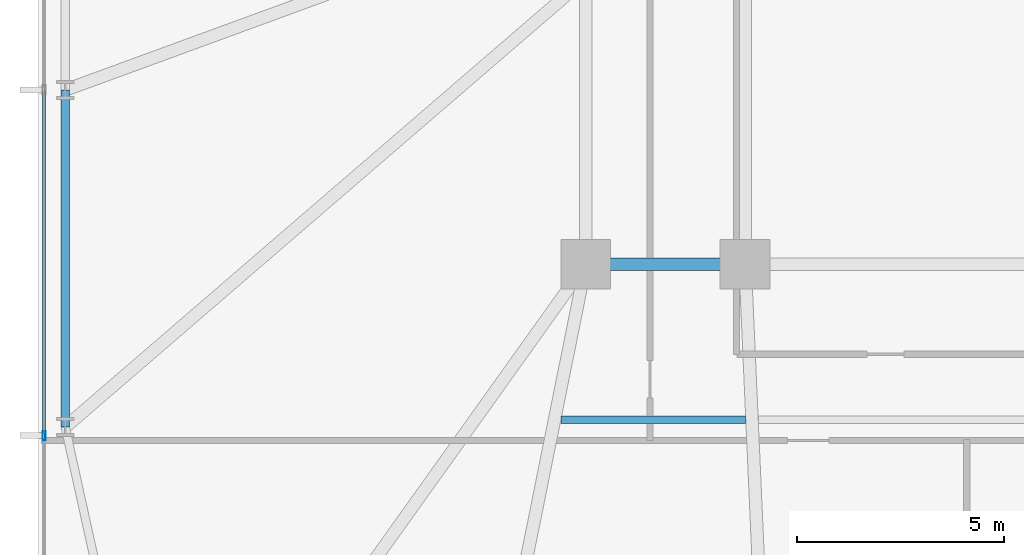
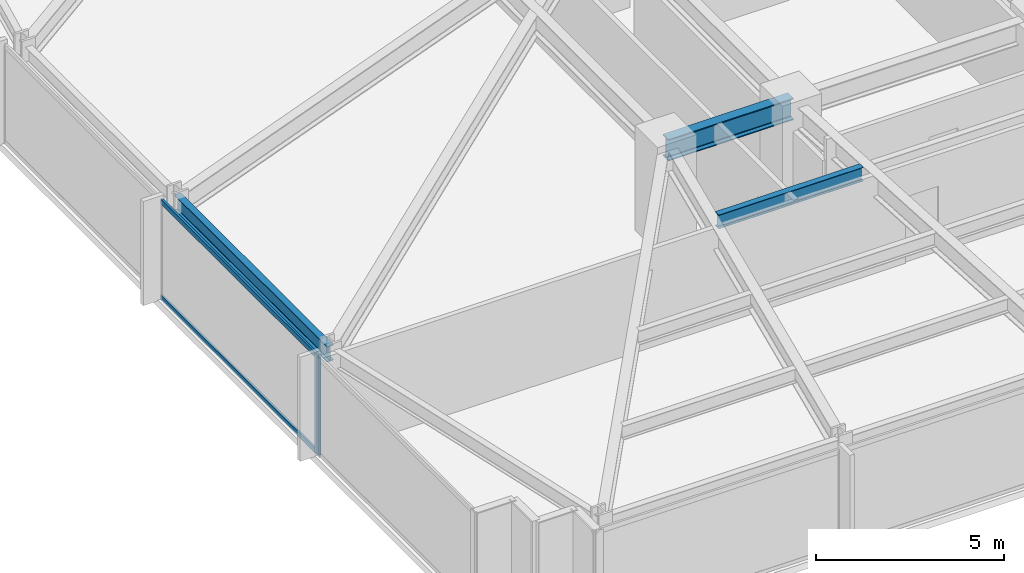
# One storey, part 4 of 32: 3 beams, 3 members, 1 element without a shape of its own.
"""IFC4 building model written with IfcOpenShell, lengths in metres."""

import ifcopenshell
import ifcopenshell.guid

model = None  # the IFC model being written
_history = None  # IfcOwnerHistory: only IFC2X3 demands one
_inside = {}  # id of a spatial element -> (the spatial element, [elements in it])
_under = {}  # id of a project, library or spatial element -> (it, [spatial elements below it])
_declared = {}  # id of a project -> (the project, [libraries it declares])
_typed = {}  # id of a type object -> (the type object, [elements of that type])
_made_of = {}  # id of a material, layer set ... -> (it, [elements and type objects made of it])


def new_model(schema):
    """Start an empty IFC model of exactly this schema.

    Asked for "IFC4X3", IfcOpenShell would pick the latest addendum, in which some entities
    have other attributes; the version numbers below select the first issue.
    IFC2X3 requires an IfcOwnerHistory on every rooted entity: one is made here for all.
    """
    global model, _history
    if schema == "IFC4X3":
        model = ifcopenshell.file(schema_version=(4, 3, 0, 0))
    else:
        model = ifcopenshell.file(schema=schema)
    _inside.clear()
    _under.clear()
    _declared.clear()
    _typed.clear()
    _made_of.clear()
    _history = None
    if model.schema == "IFC2X3":
        org = make("IfcOrganization", Name="unknown")
        user = make(
            "IfcPersonAndOrganization",
            ThePerson=make("IfcPerson", FamilyName="unknown"),
            TheOrganization=org,
        )
        app = make(
            "IfcApplication",
            ApplicationDeveloper=org,
            Version="unknown",
            ApplicationFullName="unknown",
            ApplicationIdentifier="unknown",
        )
        _history = make(
            "IfcOwnerHistory",
            OwningUser=user,
            OwningApplication=app,
            ChangeAction="ADDED",
            CreationDate=0,
        )
    return model


def make(cls, **values):
    """One entity of the class cls with the attributes given. An attribute that is None is left unset."""
    return model.create_entity(
        cls, **{name: value for name, value in values.items() if value is not None}
    )


def rooted(cls, **values):
    """An entity with a GlobalId (a new one), such as an element, a storey or a relation."""
    return make(cls, GlobalId=ifcopenshell.guid.new(), OwnerHistory=_history, **values)


def si_unit(unit_type, name, prefix=None):
    """IfcSIUnit, for example si_unit("LENGTHUNIT", "METRE", prefix="MILLI")."""
    return make("IfcSIUnit", UnitType=unit_type, Prefix=prefix, Name=name)


def assignment(units):
    """IfcUnitAssignment: the units of a project."""
    return None if units is None else make("IfcUnitAssignment", Units=units)


def point(xyz):
    """IfcCartesianPoint."""
    return None if xyz is None else make("IfcCartesianPoint", Coordinates=xyz)


def direction(xyz):
    """IfcDirection."""
    return None if xyz is None else make("IfcDirection", DirectionRatios=xyz)


def frame(location, z_axis=None, x_axis=None):
    """IfcAxis2Placement3D, a coordinate frame: its origin and axes. An axis left out is left unset."""
    return make(
        "IfcAxis2Placement3D",
        Location=point(location),
        Axis=direction(z_axis),
        RefDirection=direction(x_axis),
    )


def frame_2d(location, x_axis=None):
    """IfcAxis2Placement2D, a coordinate frame in the plane: its origin and x axis."""
    return make(
        "IfcAxis2Placement2D", Location=point(location), RefDirection=direction(x_axis)
    )


def origin():
    """The frame at (0, 0, 0) with its axes left unset."""
    return frame((0.0, 0.0, 0.0))


def origin_2d():
    """The frame at (0, 0) in the plane with its x axis left unset."""
    return frame_2d((0.0, 0.0))


def place(relative_to, where):
    """IfcLocalPlacement: puts the frame where relative to a parent placement (None: the world)."""
    return make(
        "IfcLocalPlacement", PlacementRelTo=relative_to, RelativePlacement=where
    )


def context(
    kind, dimensions, precision=None, world=None, true_north=None, identifier=None
):
    """IfcGeometricRepresentationContext, for example the 3D "Model" context."""
    return make(
        "IfcGeometricRepresentationContext",
        ContextIdentifier=identifier,
        ContextType=kind,
        CoordinateSpaceDimension=dimensions,
        Precision=precision,
        WorldCoordinateSystem=world,
        TrueNorth=true_north,
    )


def subcontext(parent, identifier, kind, view, scale=None):
    """IfcGeometricRepresentationSubContext, for example "Body" below "Model"."""
    return make(
        "IfcGeometricRepresentationSubContext",
        ContextIdentifier=identifier,
        ContextType=kind,
        ParentContext=parent,
        TargetScale=scale,
        TargetView=view,
    )


def project(units=None, contexts=None):
    """IfcProject with its units and contexts."""
    return rooted(
        "IfcProject",
        Name="project",
        RepresentationContexts=contexts,
        UnitsInContext=assignment(units),
    )


def spatial(cls, under=None, at=None, **own):
    """A site, building, storey or space (cls), placed at a placement, below another one or the project."""
    s = rooted(cls, ObjectPlacement=at, **own)
    if under is not None:
        _under.setdefault(under.id(), (under, []))[1].append(s)
    return s


def profile(cls, at=None, kind="AREA", **sizes):
    """A parametric profile (cls). Its sizes go by their IFC names, for example OverallWidth=200.0."""
    return make(cls, ProfileType=kind, Position=at, **sizes)


def hollow_rectangle(**sizes):
    """IfcRectangleHollowProfileDef."""
    return profile("IfcRectangleHollowProfileDef", **sizes)


def i_section(**sizes):
    """IfcIShapeProfileDef."""
    return profile("IfcIShapeProfileDef", **sizes)


def extrude(swept, where, along, depth):
    """IfcExtrudedAreaSolid: the profile swept, set in the frame where, extruded along a direction by depth."""
    return make(
        "IfcExtrudedAreaSolid",
        SweptArea=swept,
        Position=where,
        ExtrudedDirection=direction(along),
        Depth=depth,
    )


def shape(context_of_items, identifier, shape_type, items):
    """IfcShapeRepresentation: the items that make up one representation, for example the "Body"."""
    return make(
        "IfcShapeRepresentation",
        ContextOfItems=context_of_items,
        RepresentationIdentifier=identifier,
        RepresentationType=shape_type,
        Items=items,
    )


def material(Name=None, Category=None):
    """IfcMaterial."""
    return make("IfcMaterial", Name=Name, Category=Category)


def material_profile(
    of_material, cross_section, Name=None, Category=None, Priority=None
):
    """IfcMaterialProfile: a cross section and its material."""
    return make(
        "IfcMaterialProfile",
        Name=Name,
        Material=of_material,
        Profile=cross_section,
        Priority=Priority,
        Category=Category,
    )


def profile_set(profiles, Name=None, composite=None):
    """IfcMaterialProfileSet."""
    return make(
        "IfcMaterialProfileSet",
        Name=Name,
        MaterialProfiles=profiles,
        CompositeProfile=composite,
    )


def made_of(thing, what):
    """Note that an element or type object is made of a material, layer set ...; save() writes the relation."""
    if what is not None:
        _made_of.setdefault(what.id(), (what, []))[1].append(thing)
    return thing


def type_object(cls, material=None, **own):
    """A type object (cls), such as IfcWallType, which elements share."""
    return made_of(rooted(cls, **own), material)


def element(
    cls,
    number,
    at=None,
    inside=None,
    cuts=None,
    type_object=None,
    material=None,
    context=None,
    identifier="Body",
    shape_type=None,
    held_by="IfcProductDefinitionShape",
    body=None,
    shapes=None,
    **own,
):
    """One element of the class cls, such as IfcWall. Its Tag is "e" and its number.

    at: its placement. inside: the storey or other place that contains it. cuts: it is an
    opening in that element (IfcRelVoidsElement). A single representation is given by context,
    identifier, shape_type and body (its items); several are given by shapes. held_by: the class
    of the entity that holds the representations. save() writes the other relations.
    """
    e = rooted(cls, Tag="e%d" % number, ObjectPlacement=at, **own)
    if body is not None:
        shapes = [shape(context, identifier, shape_type, body)]
    if shapes is not None:
        e.Representation = make(held_by, Representations=shapes)
    if inside is not None:
        _inside.setdefault(inside.id(), (inside, []))[1].append(e)
    if cuts is not None:
        rooted(
            "IfcRelVoidsElement", RelatingBuildingElement=cuts, RelatedOpeningElement=e
        )
    if type_object is not None:
        _typed.setdefault(type_object.id(), (type_object, []))[1].append(e)
    return made_of(e, material)


def aggregate(whole, parts):
    """IfcRelAggregates: a whole, such as a stair, and the parts it consists of."""
    return rooted("IfcRelAggregates", RelatingObject=whole, RelatedObjects=parts)


def save(model, path):
    """Write the relations noted so far, then the file.

    IfcRelAggregates (storeys below a building ...), IfcRelContainedInSpatialStructure (elements
    in a storey), IfcRelDefinesByType, IfcRelAssociatesMaterial and IfcRelDeclares: one each for
    every whole, place, type object, material and project.
    """
    for whole, parts in _under.values():
        aggregate(whole, parts)
    for where, things in _inside.values():
        rooted(
            "IfcRelContainedInSpatialStructure",
            RelatedElements=things,
            RelatingStructure=where,
        )
    for kind, things in _typed.values():
        rooted("IfcRelDefinesByType", RelatedObjects=things, RelatingType=kind)
    for what, things in _made_of.values():
        rooted("IfcRelAssociatesMaterial", RelatedObjects=things, RelatingMaterial=what)
    for by, libraries in _declared.values():
        rooted("IfcRelDeclares", RelatingContext=by, RelatedDefinitions=libraries)
    model.write(path)


model = new_model("IFC4")

# Units and contexts
model_context = context("Model", 3, precision=1e-05, world=origin(), true_north=direction((0.0, 1.0)))
body_context = subcontext(model_context, "Body", "Model", "MODEL_VIEW")
ifc_project = project(units=[si_unit("LENGTHUNIT", "METRE"), si_unit("AREAUNIT", "SQUARE_METRE"), si_unit("VOLUMEUNIT", "CUBIC_METRE"), si_unit("PLANEANGLEUNIT", "RADIAN"), si_unit("MASSUNIT", "GRAM", prefix="KILO")], contexts=[model_context])

# Site, building, storey
site_placement = place(None, origin())
site = spatial("IfcSite", under=ifc_project, at=site_placement, CompositionType="ELEMENT")
building_placement = place(site_placement, origin())
building = spatial("IfcBuilding", under=site, at=building_placement, Name="Yelkora Congress Tower", CompositionType="ELEMENT")
storey_placement = place(building_placement, frame((0.0, 0.0, 44.0)))
storey = spatial("IfcBuildingStorey", under=building, at=storey_placement, Name="L10", CompositionType="ELEMENT", Elevation=44.0)

# Beams
ifc_material_1 = material(Name="Steel S355J2", Category="steel")
ifc_material_profile_1 = material_profile(ifc_material_1, i_section(OverallWidth=0.300048828125, OverallDepth=0.699951171875, WebThickness=0.01708984375, FlangeThickness=0.031982421875, FilletRadius=0.027099609375, at=origin_2d()), Name="HEB 700")
ifc_profile_set_1 = profile_set([ifc_material_profile_1], Name="Steel S355J2")
beam_type_1 = type_object("IfcBeamType", Name="BM-GIRD-HEB700", PredefinedType="BEAM", material=ifc_profile_set_1)
beam_1_placement = place(storey_placement, frame((19.199951171875, 25.199951171875, 2.830078125), z_axis=(1.0, 0.0, 0.0), x_axis=(0.0, 1.0, 0.0)))
element("IfcBeam", 1, at=beam_1_placement, inside=storey, type_object=beam_type_1, Name="L10 Spine Grid D Girder 1", PredefinedType="BEAM", context=body_context, shape_type="SweptSolid", body=[
    extrude(i_section(OverallWidth=0.300048828125, OverallDepth=0.699951171875, WebThickness=0.01708984375, FlangeThickness=0.031982421875, FilletRadius=0.027099609375, at=origin_2d()), origin(), (0.0, 0.0, 1.0), 3.840087890625),
])
ifc_material_profile_2 = material_profile(ifc_material_1, i_section(OverallWidth=0.18994140625, OverallDepth=0.449951171875, WebThickness=0.009521484375, FlangeThickness=0.0146484375, FilletRadius=0.02099609375, at=origin_2d()), Name="IPE 450")
ifc_profile_set_2 = profile_set([ifc_material_profile_2], Name="Steel S355J2")
beam_type_2 = type_object("IfcBeamType", Name="BM-JOIST-IPE450", PredefinedType="JOIST", material=ifc_profile_set_2)
beam_2_placement = place(storey_placement, frame((18.60546875, 21.449951171875, 2.955078125), z_axis=(1.0, 0.0, 0.0), x_axis=(0.0, 1.0, 0.0)))
element("IfcBeam", 2, at=beam_2_placement, inside=storey, type_object=beam_type_2, Name="L10 Composite Floor Joist 17", PredefinedType="JOIST", context=body_context, shape_type="SweptSolid", body=[
    extrude(i_section(OverallWidth=0.18994140625, OverallDepth=0.449951171875, WebThickness=0.009521484375, FlangeThickness=0.0146484375, FilletRadius=0.02099609375, at=origin_2d()), origin(), (0.0, 0.0, 1.0), 4.4404296875),
])
ifc_material_profile_3 = material_profile(ifc_material_1, i_section(OverallWidth=0.199951171875, OverallDepth=0.5, WebThickness=0.01025390625, FlangeThickness=0.01611328125, FilletRadius=0.02099609375, at=origin_2d()), Name="IPE 500")
ifc_profile_set_3 = profile_set([ifc_material_profile_3], Name="Steel S355J2")
beam_type_3 = type_object("IfcBeamType", Name="BM-SPAN-IPE500", PredefinedType="SPANDREL", material=ifc_profile_set_3)
beam_3_placement = place(storey_placement, frame((6.64990234375, 29.39990234375, 2.929931640625), z_axis=(0.0, -1.0, 0.0), x_axis=(1.0, 0.0, 0.0)))
element("IfcBeam", 3, at=beam_3_placement, inside=storey, type_object=beam_type_3, Name="L10 Perimeter Beam 19", PredefinedType="SPANDREL", context=body_context, shape_type="SweptSolid", body=[
    extrude(i_section(OverallWidth=0.199951171875, OverallDepth=0.5, WebThickness=0.01025390625, FlangeThickness=0.01611328125, FilletRadius=0.02099609375, at=origin_2d()), origin(), (0.0, 0.0, 1.0), 8.125),
])

# Curtain wall, members
ifc_material_2 = material(Name="Anodised aluminium and insulated glass", Category="aluminium")
curtain_wall_type = type_object("IfcCurtainWallType", Name="CW-SYS-B1", PredefinedType="NOTDEFINED", material=ifc_material_2)
curtain_wall_placement = place(storey_placement, origin())
curtain_wall = element("IfcCurtainWall", 4, at=curtain_wall_placement, inside=storey, type_object=curtain_wall_type, Name="L10 Unitised Curtain Wall 5", PredefinedType="NOTDEFINED")
ifc_material_3 = material(Name="Anodised aluminium 6063-T6", Category="aluminium")
ifc_material_profile_4 = material_profile(ifc_material_3, hollow_rectangle(XDim=0.074951171875, YDim=0.219970703125, WallThickness=0.0048828125, at=origin_2d()), Name="ALU 75x220x5")
ifc_profile_set_4 = profile_set([ifc_material_profile_4], Name="Anodised aluminium 6063-T6")
member_type_1 = type_object("IfcMemberType", Name="MEM-ML-B1", PredefinedType="MULLION", material=ifc_profile_set_4)
member_1_placement = place(storey_placement, frame((6.139892578125, 21.070068359375, 0.0), z_axis=(0.0, 0.0, 1.0), x_axis=(-1.0, 0.0, 0.0)))
member_1 = element("IfcMember", 5, at=member_1_placement, type_object=member_type_1, Name="CW-B1 mullion 2", PredefinedType="MULLION", context=body_context, shape_type="SweptSolid", body=[
    extrude(hollow_rectangle(XDim=0.074951171875, YDim=0.219970703125, WallThickness=0.0048828125, at=origin_2d()), origin(), (0.0, 0.0, 1.0), 3.179931640625),
])
ifc_material_profile_5 = material_profile(ifc_material_3, hollow_rectangle(XDim=0.06494140625, YDim=0.159912109375, WallThickness=0.00390625, at=origin_2d()), Name="ALU 65x160x4")
ifc_profile_set_5 = profile_set([ifc_material_profile_5], Name="Anodised aluminium 6063-T6")
member_type_2 = type_object("IfcMemberType", Name="MEM-TR-B1", PredefinedType="USERDEFINED", material=ifc_profile_set_5)
member_2_placement = place(storey_placement, frame((6.139892578125, 21.107421875, 0.032470703125), z_axis=(0.0, 1.0, 0.0), x_axis=(-1.0, 0.0, 0.0)))
member_2 = element("IfcMember", 6, at=member_2_placement, type_object=member_type_2, Name="CW-B1 transom 2.1", ObjectType="TRANSOM", PredefinedType="USERDEFINED", context=body_context, shape_type="SweptSolid", body=[
    extrude(hollow_rectangle(XDim=0.06494140625, YDim=0.159912109375, WallThickness=0.00390625, at=origin_2d()), origin(), (0.0, 0.0, 1.0), 8.255126953125),
])
member_3_placement = place(storey_placement, frame((6.139892578125, 21.107421875, 3.1474609375), z_axis=(0.0, 1.0, 0.0), x_axis=(-1.0, 0.0, 0.0)))
member_3 = element("IfcMember", 7, at=member_3_placement, type_object=member_type_2, Name="CW-B1 transom 2.2", ObjectType="TRANSOM", PredefinedType="USERDEFINED", context=body_context, shape_type="SweptSolid", body=[
    extrude(hollow_rectangle(XDim=0.06494140625, YDim=0.159912109375, WallThickness=0.00390625, at=origin_2d()), origin(), (0.0, 0.0, 1.0), 8.255126953125),
])
aggregate(curtain_wall, [member_1, member_2, member_3])

save(model, "model.ifc")
